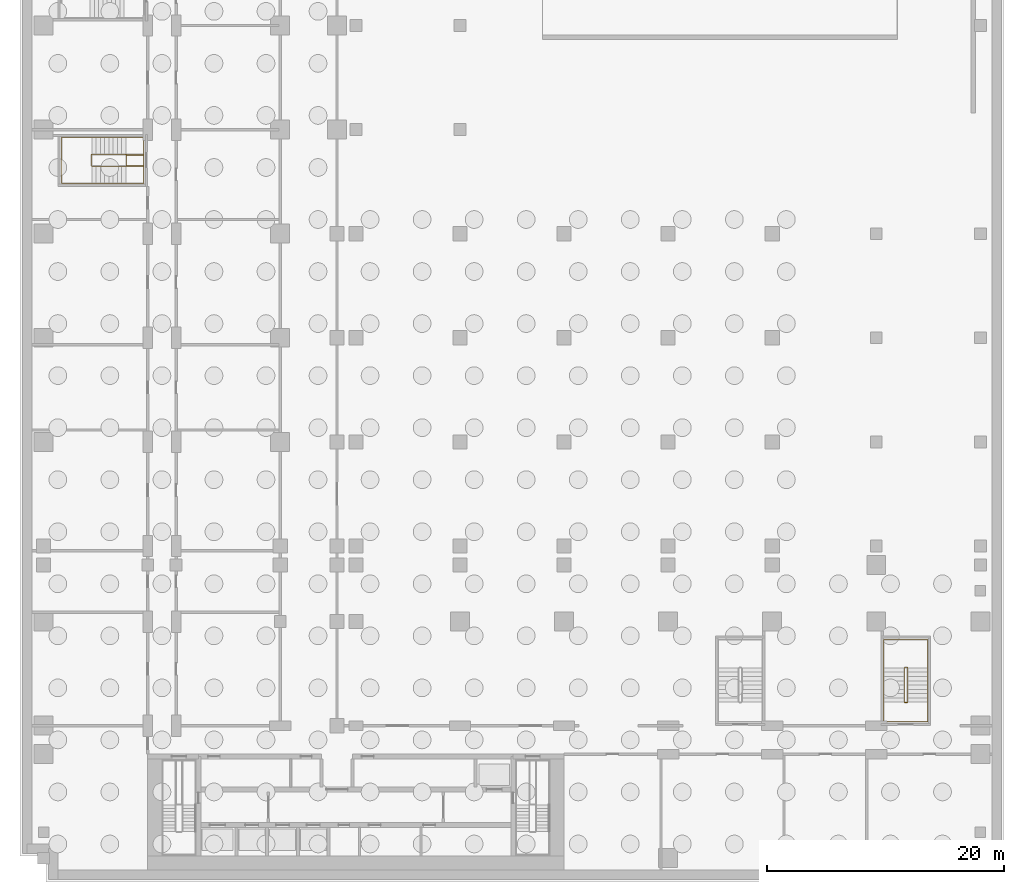
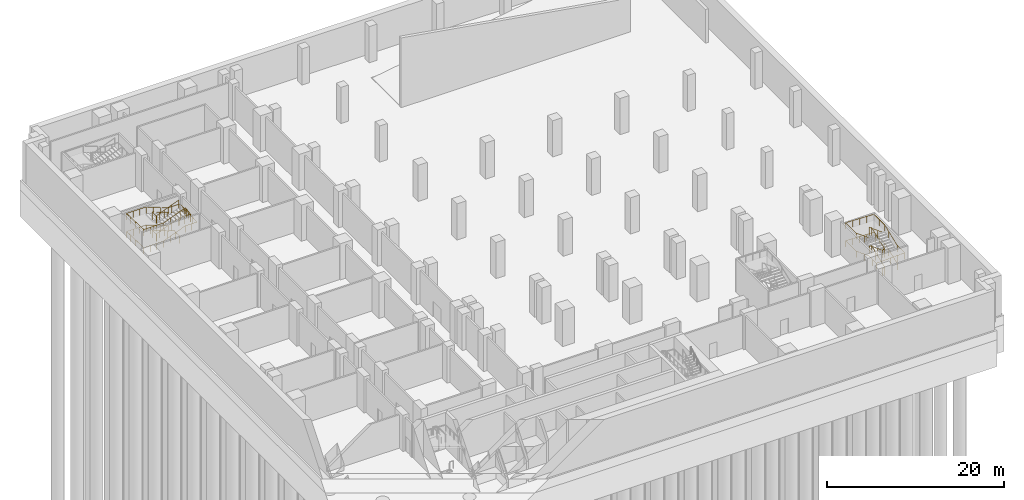
# One storey, part 12 of 14: 4 railings.
"""IFC4 building model written with IfcOpenShell, lengths in metres."""

import ifcopenshell
import ifcopenshell.guid

model = None  # the IFC model being written
_history = None  # IfcOwnerHistory: only IFC2X3 demands one
_inside = {}  # id of a spatial element -> (the spatial element, [elements in it])
_under = {}  # id of a project, library or spatial element -> (it, [spatial elements below it])
_declared = {}  # id of a project -> (the project, [libraries it declares])
_typed = {}  # id of a type object -> (the type object, [elements of that type])
_made_of = {}  # id of a material, layer set ... -> (it, [elements and type objects made of it])


def new_model(schema):
    """Start an empty IFC model of exactly this schema.

    Asked for "IFC4X3", IfcOpenShell would pick the latest addendum, in which some entities
    have other attributes; the version numbers below select the first issue.
    IFC2X3 requires an IfcOwnerHistory on every rooted entity: one is made here for all.
    """
    global model, _history
    if schema == "IFC4X3":
        model = ifcopenshell.file(schema_version=(4, 3, 0, 0))
    else:
        model = ifcopenshell.file(schema=schema)
    _inside.clear()
    _under.clear()
    _declared.clear()
    _typed.clear()
    _made_of.clear()
    _history = None
    if model.schema == "IFC2X3":
        org = make("IfcOrganization", Name="unknown")
        user = make(
            "IfcPersonAndOrganization",
            ThePerson=make("IfcPerson", FamilyName="unknown"),
            TheOrganization=org,
        )
        app = make(
            "IfcApplication",
            ApplicationDeveloper=org,
            Version="unknown",
            ApplicationFullName="unknown",
            ApplicationIdentifier="unknown",
        )
        _history = make(
            "IfcOwnerHistory",
            OwningUser=user,
            OwningApplication=app,
            ChangeAction="ADDED",
            CreationDate=0,
        )
    return model


def make(cls, **values):
    """One entity of the class cls with the attributes given. An attribute that is None is left unset."""
    return model.create_entity(
        cls, **{name: value for name, value in values.items() if value is not None}
    )


def rooted(cls, **values):
    """An entity with a GlobalId (a new one), such as an element, a storey or a relation."""
    return make(cls, GlobalId=ifcopenshell.guid.new(), OwnerHistory=_history, **values)


def si_unit(unit_type, name, prefix=None):
    """IfcSIUnit, for example si_unit("LENGTHUNIT", "METRE", prefix="MILLI")."""
    return make("IfcSIUnit", UnitType=unit_type, Prefix=prefix, Name=name)


def assignment(units):
    """IfcUnitAssignment: the units of a project."""
    return None if units is None else make("IfcUnitAssignment", Units=units)


def point(xyz):
    """IfcCartesianPoint."""
    return None if xyz is None else make("IfcCartesianPoint", Coordinates=xyz)


def direction(xyz):
    """IfcDirection."""
    return None if xyz is None else make("IfcDirection", DirectionRatios=xyz)


def frame(location, z_axis=None, x_axis=None):
    """IfcAxis2Placement3D, a coordinate frame: its origin and axes. An axis left out is left unset."""
    return make(
        "IfcAxis2Placement3D",
        Location=point(location),
        Axis=direction(z_axis),
        RefDirection=direction(x_axis),
    )


def frame_2d(location, x_axis=None):
    """IfcAxis2Placement2D, a coordinate frame in the plane: its origin and x axis."""
    return make(
        "IfcAxis2Placement2D", Location=point(location), RefDirection=direction(x_axis)
    )


def origin():
    """The frame at (0, 0, 0) with its axes left unset."""
    return frame((0.0, 0.0, 0.0))


def origin_2d():
    """The frame at (0, 0) in the plane with its x axis left unset."""
    return frame_2d((0.0, 0.0))


def place(relative_to, where):
    """IfcLocalPlacement: puts the frame where relative to a parent placement (None: the world)."""
    return make(
        "IfcLocalPlacement", PlacementRelTo=relative_to, RelativePlacement=where
    )


def context(
    kind, dimensions, precision=None, world=None, true_north=None, identifier=None
):
    """IfcGeometricRepresentationContext, for example the 3D "Model" context."""
    return make(
        "IfcGeometricRepresentationContext",
        ContextIdentifier=identifier,
        ContextType=kind,
        CoordinateSpaceDimension=dimensions,
        Precision=precision,
        WorldCoordinateSystem=world,
        TrueNorth=true_north,
    )


def subcontext(parent, identifier, kind, view, scale=None):
    """IfcGeometricRepresentationSubContext, for example "Body" below "Model"."""
    return make(
        "IfcGeometricRepresentationSubContext",
        ContextIdentifier=identifier,
        ContextType=kind,
        ParentContext=parent,
        TargetScale=scale,
        TargetView=view,
    )


def project(units=None, contexts=None):
    """IfcProject with its units and contexts."""
    return rooted(
        "IfcProject",
        Name="project",
        RepresentationContexts=contexts,
        UnitsInContext=assignment(units),
    )


def spatial(cls, under=None, at=None, **own):
    """A site, building, storey or space (cls), placed at a placement, below another one or the project."""
    s = rooted(cls, ObjectPlacement=at, **own)
    if under is not None:
        _under.setdefault(under.id(), (under, []))[1].append(s)
    return s


def profile(cls, at=None, kind="AREA", **sizes):
    """A parametric profile (cls). Its sizes go by their IFC names, for example OverallWidth=200.0."""
    return make(cls, ProfileType=kind, Position=at, **sizes)


def circle(**sizes):
    """IfcCircleProfileDef."""
    return profile("IfcCircleProfileDef", **sizes)


def extrude(swept, where, along, depth):
    """IfcExtrudedAreaSolid: the profile swept, set in the frame where, extruded along a direction by depth."""
    return make(
        "IfcExtrudedAreaSolid",
        SweptArea=swept,
        Position=where,
        ExtrudedDirection=direction(along),
        Depth=depth,
    )


def shape(context_of_items, identifier, shape_type, items):
    """IfcShapeRepresentation: the items that make up one representation, for example the "Body"."""
    return make(
        "IfcShapeRepresentation",
        ContextOfItems=context_of_items,
        RepresentationIdentifier=identifier,
        RepresentationType=shape_type,
        Items=items,
    )


def material(Name=None, Category=None):
    """IfcMaterial."""
    return make("IfcMaterial", Name=Name, Category=Category)


def made_of(thing, what):
    """Note that an element or type object is made of a material, layer set ...; save() writes the relation."""
    if what is not None:
        _made_of.setdefault(what.id(), (what, []))[1].append(thing)
    return thing


def type_object(cls, material=None, **own):
    """A type object (cls), such as IfcWallType, which elements share."""
    return made_of(rooted(cls, **own), material)


def element(
    cls,
    number,
    at=None,
    inside=None,
    cuts=None,
    type_object=None,
    material=None,
    context=None,
    identifier="Body",
    shape_type=None,
    held_by="IfcProductDefinitionShape",
    body=None,
    shapes=None,
    **own,
):
    """One element of the class cls, such as IfcWall. Its Tag is "e" and its number.

    at: its placement. inside: the storey or other place that contains it. cuts: it is an
    opening in that element (IfcRelVoidsElement). A single representation is given by context,
    identifier, shape_type and body (its items); several are given by shapes. held_by: the class
    of the entity that holds the representations. save() writes the other relations.
    """
    e = rooted(cls, Tag="e%d" % number, ObjectPlacement=at, **own)
    if body is not None:
        shapes = [shape(context, identifier, shape_type, body)]
    if shapes is not None:
        e.Representation = make(held_by, Representations=shapes)
    if inside is not None:
        _inside.setdefault(inside.id(), (inside, []))[1].append(e)
    if cuts is not None:
        rooted(
            "IfcRelVoidsElement", RelatingBuildingElement=cuts, RelatedOpeningElement=e
        )
    if type_object is not None:
        _typed.setdefault(type_object.id(), (type_object, []))[1].append(e)
    return made_of(e, material)


def aggregate(whole, parts):
    """IfcRelAggregates: a whole, such as a stair, and the parts it consists of."""
    return rooted("IfcRelAggregates", RelatingObject=whole, RelatedObjects=parts)


def save(model, path):
    """Write the relations noted so far, then the file.

    IfcRelAggregates (storeys below a building ...), IfcRelContainedInSpatialStructure (elements
    in a storey), IfcRelDefinesByType, IfcRelAssociatesMaterial and IfcRelDeclares: one each for
    every whole, place, type object, material and project.
    """
    for whole, parts in _under.values():
        aggregate(whole, parts)
    for where, things in _inside.values():
        rooted(
            "IfcRelContainedInSpatialStructure",
            RelatedElements=things,
            RelatingStructure=where,
        )
    for kind, things in _typed.values():
        rooted("IfcRelDefinesByType", RelatedObjects=things, RelatingType=kind)
    for what, things in _made_of.values():
        rooted("IfcRelAssociatesMaterial", RelatedObjects=things, RelatingMaterial=what)
    for by, libraries in _declared.values():
        rooted("IfcRelDeclares", RelatingContext=by, RelatedDefinitions=libraries)
    model.write(path)


model = new_model("IFC4")

# Units and contexts
model_context = context("Model", 3, precision=1e-05, world=origin(), true_north=direction((0.0, 1.0)))
body_context = subcontext(model_context, "Body", "Model", "MODEL_VIEW")
ifc_project = project(units=[si_unit("LENGTHUNIT", "METRE"), si_unit("AREAUNIT", "SQUARE_METRE"), si_unit("VOLUMEUNIT", "CUBIC_METRE"), si_unit("PLANEANGLEUNIT", "RADIAN"), si_unit("MASSUNIT", "GRAM", prefix="KILO")], contexts=[model_context])

# Site, building, storey
site_placement = place(None, origin())
site = spatial("IfcSite", under=ifc_project, at=site_placement, CompositionType="ELEMENT")
building_placement = place(site_placement, origin())
building = spatial("IfcBuilding", under=site, at=building_placement, Name="Kemantara Hotel Tower", CompositionType="ELEMENT")
storey_placement = place(building_placement, frame((0.0, 0.0, -17.0)))
storey = spatial("IfcBuildingStorey", under=building, at=storey_placement, Name="B3", CompositionType="ELEMENT", Elevation=-17.0)

# Railings
ifc_material = material(Name="Stainless steel balustrade", Category="steel")
railing_type_1 = type_object("IfcRailingType", Name="Stair guard 1100 mm", PredefinedType="GUARDRAIL", material=ifc_material)
railing_1_placement = place(storey_placement, frame((7.949951171875, 59.5, 5.0)))
element("IfcRailing", 1, at=railing_1_placement, inside=storey, type_object=railing_type_1, Name="B3 ST4 stair guard 1", PredefinedType="GUARDRAIL", context=body_context, shape_type="SweptSolid", body=[
    extrude(circle(Radius=0.02392578125, at=origin_2d()), frame((0.0, 0.0, 1.076171875), z_axis=(-0.932972064118, 0.0, -0.359948784656), x_axis=(0.0, -1.0, 0.0)), (0.0, 0.0, 1.0), 3.086669921875),
    extrude(circle(Radius=0.02392578125, at=origin_2d()), frame((-2.8798828125, 0.0, -0.03515625), z_axis=(-0.321014310373, 0.321014310373, -0.891010451718), x_axis=(-0.707106781187, -0.707106781187, 0.0)), (0.0, 0.0, 1.0), 0.156005859375),
    extrude(circle(Radius=0.02392578125, at=origin_2d()), frame((-2.929931640625, 0.050048828125, -0.173828125), z_axis=(0.0, 1.0, 0.0), x_axis=(-1.0, 0.0, 0.0)), (0.0, 0.0, 1.0), 0.89990234375),
    extrude(circle(Radius=0.02392578125, at=origin_2d()), frame((-2.929931640625, 0.949951171875, -0.173828125), z_axis=(0.707106781187, 0.707106781187, 0.0), x_axis=(-0.707106781187, 0.707106781187, 0.0)), (0.0, 0.0, 1.0), 0.07080078125),
    extrude(circle(Radius=0.02392578125, at=origin_2d()), frame((-2.8798828125, 1.0, -0.173828125), z_axis=(0.932972064118, 0.0, -0.359948784656), x_axis=(0.0, 1.0, 0.0)), (0.0, 0.0, 1.0), 3.086669921875),
    extrude(circle(Radius=0.02392578125, at=origin_2d()), frame((0.0, 1.0, -1.28515625), z_axis=(1.0, 0.0, 0.0), x_axis=(0.0, 1.0, 0.0)), (0.0, 0.0, 1.0), 1.530029296875),
    extrude(circle(Radius=0.02392578125, at=origin_2d()), frame((1.530029296875, 1.0, -1.28515625), z_axis=(0.0, -0.989476165601, -0.144695949172), x_axis=(1.0, 0.0, 0.0)), (0.0, 0.0, 1.0), 0.9599609375),
    extrude(circle(Radius=0.02392578125, at=origin_2d()), frame((1.530029296875, 0.050048828125, -1.423828125), z_axis=(-1.0, 0.0, 0.0), x_axis=(0.0, -1.0, 0.0)), (0.0, 0.0, 1.0), 1.47998046875),
    extrude(circle(Radius=0.02392578125, at=origin_2d()), frame((0.050048828125, 0.050048828125, -1.423828125), z_axis=(0.0, 1.0, 0.0), x_axis=(-1.0, 0.0, 0.0)), (0.0, 0.0, 1.0), 0.89990234375),
    extrude(circle(Radius=0.02392578125, at=origin_2d()), frame((0.050048828125, 0.949951171875, -1.423828125), z_axis=(1.0, 0.0, 0.0), x_axis=(0.0, 1.0, 0.0)), (0.0, 0.0, 1.0), 1.47998046875),
    extrude(circle(Radius=0.02392578125, at=origin_2d()), frame((1.530029296875, 0.949951171875, -1.423828125), z_axis=(0.0, -1.0, 0.0), x_axis=(1.0, 0.0, 0.0)), (0.0, 0.0, 1.0), 0.949951171875),
    extrude(circle(Radius=0.02392578125, at=origin_2d()), frame((1.530029296875, 0.0, -1.423828125), z_axis=(-1.0, 0.0, 0.0), x_axis=(0.0, -1.0, 0.0)), (0.0, 0.0, 1.0), 1.530029296875),
    extrude(circle(Radius=0.02392578125, at=origin_2d()), frame((0.0, 0.0, -1.423828125), z_axis=(-0.932972064118, 0.0, -0.359948784656), x_axis=(0.0, -1.0, 0.0)), (0.0, 0.0, 1.0), 3.086669921875),
    extrude(circle(Radius=0.02392578125, at=origin_2d()), frame((-2.8798828125, 0.0, -2.53515625), z_axis=(-0.321014310373, 0.321014310373, -0.891010451718), x_axis=(-0.707106781187, -0.707106781187, 0.0)), (0.0, 0.0, 1.0), 0.156005859375),
    extrude(circle(Radius=0.02392578125, at=origin_2d()), frame((-2.929931640625, 0.050048828125, -2.673828125), z_axis=(0.0, 1.0, 0.0), x_axis=(-1.0, 0.0, 0.0)), (0.0, 0.0, 1.0), 0.89990234375),
    extrude(circle(Radius=0.02392578125, at=origin_2d()), frame((-2.929931640625, 0.949951171875, -2.673828125), z_axis=(0.707106781187, 0.707106781187, 0.0), x_axis=(-0.707106781187, 0.707106781187, 0.0)), (0.0, 0.0, 1.0), 0.07080078125),
    extrude(circle(Radius=0.02392578125, at=origin_2d()), frame((-2.8798828125, 1.0, -2.673828125), z_axis=(0.932972064118, 0.0, -0.359948784656), x_axis=(0.0, 1.0, 0.0)), (0.0, 0.0, 1.0), 3.086669921875),
    extrude(circle(Radius=0.02392578125, at=origin_2d()), frame((0.0, 1.0, -3.78515625), z_axis=(0.321014310373, -0.321014310373, -0.891010451718), x_axis=(0.707106781187, 0.707106781187, 0.0)), (0.0, 0.0, 1.0), 0.156005859375),
    extrude(circle(Radius=0.02392578125, at=origin_2d()), frame((0.050048828125, 0.949951171875, -3.923828125), z_axis=(0.0, -1.0, 0.0), x_axis=(1.0, 0.0, 0.0)), (0.0, 0.0, 1.0), 0.89990234375),
    extrude(circle(Radius=0.02099609375, at=origin_2d()), origin(), (0.0, 0.0, 1.0), 1.052001953125),
    extrude(circle(Radius=0.02099609375, at=origin_2d()), frame((-0.9599609375, 0.0, -0.370361328125)), (0.0, 0.0, 1.0), 1.052001953125),
    extrude(circle(Radius=0.02099609375, at=origin_2d()), frame((-1.919921875, 0.0, -0.74072265625)), (0.0, 0.0, 1.0), 1.052001953125),
    extrude(circle(Radius=0.02099609375, at=origin_2d()), frame((-2.8798828125, 0.0, -1.111083984375)), (0.0, 0.0, 1.0), 1.052001953125),
    extrude(circle(Radius=0.02099609375, at=origin_2d()), frame((-2.929931640625, 0.050048828125, -1.25)), (0.0, 0.0, 1.0), 1.052001953125),
    extrude(circle(Radius=0.02099609375, at=origin_2d()), frame((-2.929931640625, 0.949951171875, -1.25)), (0.0, 0.0, 1.0), 1.052001953125),
    extrude(circle(Radius=0.02099609375, at=origin_2d()), frame((-2.8798828125, 1.0, -1.25)), (0.0, 0.0, 1.0), 1.052001953125),
    extrude(circle(Radius=0.02099609375, at=origin_2d()), frame((-1.919921875, 1.0, -1.620361328125)), (0.0, 0.0, 1.0), 1.052001953125),
    extrude(circle(Radius=0.02099609375, at=origin_2d()), frame((-0.9599609375, 1.0, -1.99072265625)), (0.0, 0.0, 1.0), 1.052001953125),
    extrude(circle(Radius=0.02099609375, at=origin_2d()), frame((0.0, 1.0, -2.361083984375)), (0.0, 0.0, 1.0), 1.052001953125),
    extrude(circle(Radius=0.02099609375, at=origin_2d()), frame((0.76513671875, 1.0, -2.361083984375)), (0.0, 0.0, 1.0), 1.052001953125),
    extrude(circle(Radius=0.02099609375, at=origin_2d()), frame((1.530029296875, 1.0, -2.361083984375)), (0.0, 0.0, 1.0), 1.052001953125),
    extrude(circle(Radius=0.02099609375, at=origin_2d()), frame((1.530029296875, 0.050048828125, -2.5)), (0.0, 0.0, 1.0), 1.052001953125),
    extrude(circle(Radius=0.02099609375, at=origin_2d()), frame((0.7900390625, 0.050048828125, -2.5)), (0.0, 0.0, 1.0), 1.052001953125),
    extrude(circle(Radius=0.02099609375, at=origin_2d()), frame((0.050048828125, 0.050048828125, -2.5)), (0.0, 0.0, 1.0), 1.052001953125),
    extrude(circle(Radius=0.02099609375, at=origin_2d()), frame((0.050048828125, 0.949951171875, -2.5)), (0.0, 0.0, 1.0), 1.052001953125),
    extrude(circle(Radius=0.02099609375, at=origin_2d()), frame((0.7900390625, 0.949951171875, -2.5)), (0.0, 0.0, 1.0), 1.052001953125),
    extrude(circle(Radius=0.02099609375, at=origin_2d()), frame((1.530029296875, 0.949951171875, -2.5)), (0.0, 0.0, 1.0), 1.052001953125),
    extrude(circle(Radius=0.02099609375, at=origin_2d()), frame((1.530029296875, 0.0, -2.5)), (0.0, 0.0, 1.0), 1.052001953125),
    extrude(circle(Radius=0.02099609375, at=origin_2d()), frame((0.76513671875, 0.0, -2.5)), (0.0, 0.0, 1.0), 1.052001953125),
    extrude(circle(Radius=0.02099609375, at=origin_2d()), frame((0.0, 0.0, -2.5)), (0.0, 0.0, 1.0), 1.052001953125),
    extrude(circle(Radius=0.02099609375, at=origin_2d()), frame((-0.9599609375, 0.0, -2.870361328125)), (0.0, 0.0, 1.0), 1.052001953125),
    extrude(circle(Radius=0.02099609375, at=origin_2d()), frame((-1.919921875, 0.0, -3.24072265625)), (0.0, 0.0, 1.0), 1.052001953125),
    extrude(circle(Radius=0.02099609375, at=origin_2d()), frame((-2.8798828125, 0.0, -3.611083984375)), (0.0, 0.0, 1.0), 1.052001953125),
    extrude(circle(Radius=0.02099609375, at=origin_2d()), frame((-2.929931640625, 0.050048828125, -3.75)), (0.0, 0.0, 1.0), 1.052001953125),
    extrude(circle(Radius=0.02099609375, at=origin_2d()), frame((-2.929931640625, 0.949951171875, -3.75)), (0.0, 0.0, 1.0), 1.052001953125),
    extrude(circle(Radius=0.02099609375, at=origin_2d()), frame((-2.8798828125, 1.0, -3.75)), (0.0, 0.0, 1.0), 1.052001953125),
    extrude(circle(Radius=0.02099609375, at=origin_2d()), frame((-1.919921875, 1.0, -4.120361328125)), (0.0, 0.0, 1.0), 1.052001953125),
    extrude(circle(Radius=0.02099609375, at=origin_2d()), frame((-0.9599609375, 1.0, -4.49072265625)), (0.0, 0.0, 1.0), 1.052001953125),
    extrude(circle(Radius=0.02099609375, at=origin_2d()), frame((0.0, 1.0, -4.861083984375)), (0.0, 0.0, 1.0), 1.052001953125),
    extrude(circle(Radius=0.02099609375, at=origin_2d()), frame((0.050048828125, 0.949951171875, -5.0)), (0.0, 0.0, 1.0), 1.052001953125),
    extrude(circle(Radius=0.02099609375, at=origin_2d()), frame((0.050048828125, 0.050048828125, -5.0)), (0.0, 0.0, 1.0), 1.052001953125),
])
railing_2_placement = place(storey_placement, frame((73.75, 14.199951171875, 5.0)))
element("IfcRailing", 2, at=railing_2_placement, inside=storey, type_object=railing_type_1, Name="B3 ST5 stair guard 1", PredefinedType="GUARDRAIL", context=body_context, shape_type="SweptSolid", body=[
    extrude(circle(Radius=0.02392578125, at=origin_2d()), frame((0.0, 0.0, 1.076171875), z_axis=(0.0, 0.932982310422, -0.359922225543), x_axis=(-1.0, 0.0, 0.0)), (0.0, 0.0, 1.0), 3.0869140625),
    extrude(circle(Radius=0.02392578125, at=origin_2d()), frame((0.0, 2.880126953125, -0.03515625), z_axis=(0.321175406682, 0.319608697381, -0.891457592206), x_axis=(-0.705375805398, 0.708833529934, 0.0)), (0.0, 0.0, 1.0), 0.15576171875),
    extrude(circle(Radius=0.02392578125, at=origin_2d()), frame((0.050048828125, 2.929931640625, -0.173828125), z_axis=(1.0, 0.0, 0.0), x_axis=(0.0, 1.0, 0.0)), (0.0, 0.0, 1.0), 0.199951171875),
    extrude(circle(Radius=0.02392578125, at=origin_2d()), frame((0.25, 2.929931640625, -0.173828125), z_axis=(0.708833529934, -0.705375805398, 0.0), x_axis=(0.705375805398, 0.708833529934, 0.0)), (0.0, 0.0, 1.0), 0.070556640625),
    extrude(circle(Radius=0.02392578125, at=origin_2d()), frame((0.300048828125, 2.880126953125, -0.173828125), z_axis=(0.0, -0.932982310422, -0.359922225543), x_axis=(1.0, 0.0, 0.0)), (0.0, 0.0, 1.0), 3.0869140625),
    extrude(circle(Radius=0.02392578125, at=origin_2d()), frame((0.300048828125, 0.0, -1.28515625), z_axis=(-0.861032742868, -0.172374719031, -0.478444951847), x_axis=(0.196300278283, -0.98054382908, 0.0)), (0.0, 0.0, 1.0), 0.290283203125),
    extrude(circle(Radius=0.02392578125, at=origin_2d()), frame((0.050048828125, -0.050048828125, -1.423828125), z_axis=(1.0, 0.0, 0.0), x_axis=(0.0, 1.0, 0.0)), (0.0, 0.0, 1.0), 0.199951171875),
    extrude(circle(Radius=0.02392578125, at=origin_2d()), frame((0.25, -0.050048828125, -1.423828125), z_axis=(-0.98054382908, 0.196300278283, 0.0), x_axis=(-0.196300278283, -0.98054382908, 0.0)), (0.0, 0.0, 1.0), 0.2548828125),
    extrude(circle(Radius=0.02392578125, at=origin_2d()), frame((0.0, 0.0, -1.423828125), z_axis=(0.0, 0.932982310422, -0.359922225543), x_axis=(-1.0, 0.0, 0.0)), (0.0, 0.0, 1.0), 3.0869140625),
    extrude(circle(Radius=0.02392578125, at=origin_2d()), frame((0.0, 2.880126953125, -2.53515625), z_axis=(0.321175406682, 0.319608697381, -0.891457592206), x_axis=(-0.705375805398, 0.708833529934, 0.0)), (0.0, 0.0, 1.0), 0.15576171875),
    extrude(circle(Radius=0.02392578125, at=origin_2d()), frame((0.050048828125, 2.929931640625, -2.673828125), z_axis=(1.0, 0.0, 0.0), x_axis=(0.0, 1.0, 0.0)), (0.0, 0.0, 1.0), 0.199951171875),
    extrude(circle(Radius=0.02392578125, at=origin_2d()), frame((0.25, 2.929931640625, -2.673828125), z_axis=(0.708833529934, -0.705375805398, 0.0), x_axis=(0.705375805398, 0.708833529934, 0.0)), (0.0, 0.0, 1.0), 0.070556640625),
    extrude(circle(Radius=0.02392578125, at=origin_2d()), frame((0.300048828125, 2.880126953125, -2.673828125), z_axis=(0.0, -0.932982310422, -0.359922225543), x_axis=(1.0, 0.0, 0.0)), (0.0, 0.0, 1.0), 3.0869140625),
    extrude(circle(Radius=0.02392578125, at=origin_2d()), frame((0.300048828125, 0.0, -3.78515625), z_axis=(-0.321014310373, -0.321014310373, -0.891010451718), x_axis=(0.707106781187, -0.707106781187, 0.0)), (0.0, 0.0, 1.0), 0.156005859375),
    extrude(circle(Radius=0.02392578125, at=origin_2d()), frame((0.25, -0.050048828125, -3.923828125), z_axis=(-1.0, 0.0, 0.0), x_axis=(0.0, -1.0, 0.0)), (0.0, 0.0, 1.0), 0.199951171875),
    extrude(circle(Radius=0.02099609375, at=origin_2d()), origin(), (0.0, 0.0, 1.0), 1.052001953125),
    extrude(circle(Radius=0.02099609375, at=origin_2d()), frame((0.0, 0.9599609375, -0.370361328125)), (0.0, 0.0, 1.0), 1.052001953125),
    extrude(circle(Radius=0.02099609375, at=origin_2d()), frame((0.0, 1.920166015625, -0.74072265625)), (0.0, 0.0, 1.0), 1.052001953125),
    extrude(circle(Radius=0.02099609375, at=origin_2d()), frame((0.0, 2.880126953125, -1.111083984375)), (0.0, 0.0, 1.0), 1.052001953125),
    extrude(circle(Radius=0.02099609375, at=origin_2d()), frame((0.050048828125, 2.929931640625, -1.25)), (0.0, 0.0, 1.0), 1.052001953125),
    extrude(circle(Radius=0.02099609375, at=origin_2d()), frame((0.25, 2.929931640625, -1.25)), (0.0, 0.0, 1.0), 1.052001953125),
    extrude(circle(Radius=0.02099609375, at=origin_2d()), frame((0.300048828125, 2.880126953125, -1.25)), (0.0, 0.0, 1.0), 1.052001953125),
    extrude(circle(Radius=0.02099609375, at=origin_2d()), frame((0.300048828125, 1.920166015625, -1.620361328125)), (0.0, 0.0, 1.0), 1.052001953125),
    extrude(circle(Radius=0.02099609375, at=origin_2d()), frame((0.300048828125, 0.9599609375, -1.99072265625)), (0.0, 0.0, 1.0), 1.052001953125),
    extrude(circle(Radius=0.02099609375, at=origin_2d()), frame((0.300048828125, 0.0, -2.361083984375)), (0.0, 0.0, 1.0), 1.052001953125),
    extrude(circle(Radius=0.02099609375, at=origin_2d()), frame((0.050048828125, -0.050048828125, -2.5)), (0.0, 0.0, 1.0), 1.052001953125),
    extrude(circle(Radius=0.02099609375, at=origin_2d()), frame((0.25, -0.050048828125, -2.5)), (0.0, 0.0, 1.0), 1.052001953125),
    extrude(circle(Radius=0.02099609375, at=origin_2d()), frame((0.0, 0.0, -2.5)), (0.0, 0.0, 1.0), 1.052001953125),
    extrude(circle(Radius=0.02099609375, at=origin_2d()), frame((0.0, 0.9599609375, -2.870361328125)), (0.0, 0.0, 1.0), 1.052001953125),
    extrude(circle(Radius=0.02099609375, at=origin_2d()), frame((0.0, 1.920166015625, -3.24072265625)), (0.0, 0.0, 1.0), 1.052001953125),
    extrude(circle(Radius=0.02099609375, at=origin_2d()), frame((0.0, 2.880126953125, -3.611083984375)), (0.0, 0.0, 1.0), 1.052001953125),
    extrude(circle(Radius=0.02099609375, at=origin_2d()), frame((0.050048828125, 2.929931640625, -3.75)), (0.0, 0.0, 1.0), 1.052001953125),
    extrude(circle(Radius=0.02099609375, at=origin_2d()), frame((0.25, 2.929931640625, -3.75)), (0.0, 0.0, 1.0), 1.052001953125),
    extrude(circle(Radius=0.02099609375, at=origin_2d()), frame((0.300048828125, 2.880126953125, -3.75)), (0.0, 0.0, 1.0), 1.052001953125),
    extrude(circle(Radius=0.02099609375, at=origin_2d()), frame((0.300048828125, 1.920166015625, -4.120361328125)), (0.0, 0.0, 1.0), 1.052001953125),
    extrude(circle(Radius=0.02099609375, at=origin_2d()), frame((0.300048828125, 0.9599609375, -4.49072265625)), (0.0, 0.0, 1.0), 1.052001953125),
    extrude(circle(Radius=0.02099609375, at=origin_2d()), frame((0.300048828125, 0.0, -4.861083984375)), (0.0, 0.0, 1.0), 1.052001953125),
    extrude(circle(Radius=0.02099609375, at=origin_2d()), frame((0.25, -0.050048828125, -5.0)), (0.0, 0.0, 1.0), 1.052001953125),
    extrude(circle(Radius=0.02099609375, at=origin_2d()), frame((0.050048828125, -0.050048828125, -5.0)), (0.0, 0.0, 1.0), 1.052001953125),
])
railing_type_2 = type_object("IfcRailingType", Name="Stair handrail 900 mm", PredefinedType="HANDRAIL", material=ifc_material)
railing_3_placement = place(storey_placement, frame((7.949951171875, 61.949951171875, 0.138916015625)))
element("IfcRailing", 3, at=railing_3_placement, inside=storey, type_object=railing_type_2, Name="B3 ST4 stair handrail 1", PredefinedType="HANDRAIL", context=body_context, shape_type="SweptSolid", body=[
    extrude(circle(Radius=0.02392578125, at=origin_2d()), frame((0.0, 0.0, 0.8759765625), z_axis=(-0.932972064118, 0.0, 0.359948784656), x_axis=(0.0, -1.0, 0.0)), (0.0, 0.0, 1.0), 3.086669921875),
    extrude(circle(Radius=0.02392578125, at=origin_2d()), frame((-2.8798828125, 0.0, 1.98681640625), z_axis=(-1.0, 0.0, 0.0), x_axis=(0.0, -1.0, 0.0)), (0.0, 0.0, 1.0), 2.550048828125),
    extrude(circle(Radius=0.02392578125, at=origin_2d()), frame((-5.429931640625, 0.0, 1.98681640625), z_axis=(0.0, -0.999366197222, 0.035597806825), x_axis=(1.0, 0.0, 0.0)), (0.0, 0.0, 1.0), 3.90234375),
    extrude(circle(Radius=0.02392578125, at=origin_2d()), frame((-5.429931640625, -3.89990234375, 2.1259765625), z_axis=(1.0, 0.0, 0.0), x_axis=(0.0, 1.0, 0.0)), (0.0, 0.0, 1.0), 2.550048828125),
    extrude(circle(Radius=0.02392578125, at=origin_2d()), frame((-2.8798828125, -3.89990234375, 2.1259765625), z_axis=(0.932972064118, 0.0, 0.359948784656), x_axis=(0.0, 1.0, 0.0)), (0.0, 0.0, 1.0), 3.086669921875),
    extrude(circle(Radius=0.02392578125, at=origin_2d()), frame((0.0, -3.89990234375, 3.23681640625), z_axis=(1.0, 0.0, 0.0), x_axis=(0.0, 1.0, 0.0)), (0.0, 0.0, 1.0), 1.530029296875),
    extrude(circle(Radius=0.02392578125, at=origin_2d()), frame((1.530029296875, -3.89990234375, 3.23681640625), z_axis=(0.0, 0.999366197222, 0.035597806825), x_axis=(-1.0, 0.0, 0.0)), (0.0, 0.0, 1.0), 3.90234375),
    extrude(circle(Radius=0.02392578125, at=origin_2d()), frame((1.530029296875, 0.0, 3.3759765625), z_axis=(-1.0, 0.0, 0.0), x_axis=(0.0, -1.0, 0.0)), (0.0, 0.0, 1.0), 1.530029296875),
    extrude(circle(Radius=0.02392578125, at=origin_2d()), frame((0.0, 0.0, 3.3759765625), z_axis=(-0.932972064118, 0.0, 0.359948784656), x_axis=(0.0, -1.0, 0.0)), (0.0, 0.0, 1.0), 3.086669921875),
    extrude(circle(Radius=0.02392578125, at=origin_2d()), frame((-2.8798828125, 0.0, 4.48681640625), z_axis=(-1.0, 0.0, 0.0), x_axis=(0.0, -1.0, 0.0)), (0.0, 0.0, 1.0), 2.550048828125),
    extrude(circle(Radius=0.02392578125, at=origin_2d()), frame((-5.429931640625, 0.0, 4.48681640625), z_axis=(0.0, -0.999366197222, 0.035597806825), x_axis=(1.0, 0.0, 0.0)), (0.0, 0.0, 1.0), 3.90234375),
    extrude(circle(Radius=0.02392578125, at=origin_2d()), frame((-5.429931640625, -3.89990234375, 4.6259765625), z_axis=(1.0, 0.0, 0.0), x_axis=(0.0, 1.0, 0.0)), (0.0, 0.0, 1.0), 2.550048828125),
    extrude(circle(Radius=0.02392578125, at=origin_2d()), frame((-2.8798828125, -3.89990234375, 4.6259765625), z_axis=(0.932972064118, 0.0, 0.359948784656), x_axis=(0.0, 1.0, 0.0)), (0.0, 0.0, 1.0), 3.086669921875),
    extrude(circle(Radius=0.02099609375, at=origin_2d()), origin(), (0.0, 0.0, 1.0), 0.851806640625),
    extrude(circle(Radius=0.02099609375, at=origin_2d()), frame((-0.9599609375, 0.0, 0.370361328125)), (0.0, 0.0, 1.0), 0.851806640625),
    extrude(circle(Radius=0.02099609375, at=origin_2d()), frame((-1.919921875, 0.0, 0.74072265625)), (0.0, 0.0, 1.0), 0.851806640625),
    extrude(circle(Radius=0.02099609375, at=origin_2d()), frame((-2.8798828125, 0.0, 1.111083984375)), (0.0, 0.0, 1.0), 0.851806640625),
    extrude(circle(Radius=0.02099609375, at=origin_2d()), frame((-3.72998046875, 0.0, 1.111083984375)), (0.0, 0.0, 1.0), 0.851806640625),
    extrude(circle(Radius=0.02099609375, at=origin_2d()), frame((-4.579833984375, 0.0, 1.111083984375)), (0.0, 0.0, 1.0), 0.851806640625),
    extrude(circle(Radius=0.02099609375, at=origin_2d()), frame((-5.429931640625, 0.0, 1.111083984375)), (0.0, 0.0, 1.0), 0.851806640625),
    extrude(circle(Radius=0.02099609375, at=origin_2d()), frame((-5.429931640625, -0.97509765625, 1.145751953125)), (0.0, 0.0, 1.0), 0.851806640625),
    extrude(circle(Radius=0.02099609375, at=origin_2d()), frame((-5.429931640625, -1.949951171875, 1.1806640625)), (0.0, 0.0, 1.0), 0.851806640625),
    extrude(circle(Radius=0.02099609375, at=origin_2d()), frame((-5.429931640625, -2.9248046875, 1.21533203125)), (0.0, 0.0, 1.0), 0.851806640625),
    extrude(circle(Radius=0.02099609375, at=origin_2d()), frame((-5.429931640625, -3.89990234375, 1.25)), (0.0, 0.0, 1.0), 0.851806640625),
    extrude(circle(Radius=0.02099609375, at=origin_2d()), frame((-4.579833984375, -3.89990234375, 1.25)), (0.0, 0.0, 1.0), 0.851806640625),
    extrude(circle(Radius=0.02099609375, at=origin_2d()), frame((-3.72998046875, -3.89990234375, 1.25)), (0.0, 0.0, 1.0), 0.851806640625),
    extrude(circle(Radius=0.02099609375, at=origin_2d()), frame((-2.8798828125, -3.89990234375, 1.25)), (0.0, 0.0, 1.0), 0.851806640625),
    extrude(circle(Radius=0.02099609375, at=origin_2d()), frame((-1.919921875, -3.89990234375, 1.620361328125)), (0.0, 0.0, 1.0), 0.851806640625),
    extrude(circle(Radius=0.02099609375, at=origin_2d()), frame((-0.9599609375, -3.89990234375, 1.99072265625)), (0.0, 0.0, 1.0), 0.851806640625),
    extrude(circle(Radius=0.02099609375, at=origin_2d()), frame((0.0, -3.89990234375, 2.361083984375)), (0.0, 0.0, 1.0), 0.851806640625),
    extrude(circle(Radius=0.02099609375, at=origin_2d()), frame((0.76513671875, -3.89990234375, 2.361083984375)), (0.0, 0.0, 1.0), 0.851806640625),
    extrude(circle(Radius=0.02099609375, at=origin_2d()), frame((1.530029296875, -3.89990234375, 2.361083984375)), (0.0, 0.0, 1.0), 0.851806640625),
    extrude(circle(Radius=0.02099609375, at=origin_2d()), frame((1.530029296875, -2.9248046875, 2.395751953125)), (0.0, 0.0, 1.0), 0.851806640625),
    extrude(circle(Radius=0.02099609375, at=origin_2d()), frame((1.530029296875, -1.949951171875, 2.4306640625)), (0.0, 0.0, 1.0), 0.851806640625),
    extrude(circle(Radius=0.02099609375, at=origin_2d()), frame((1.530029296875, -0.97509765625, 2.46533203125)), (0.0, 0.0, 1.0), 0.851806640625),
    extrude(circle(Radius=0.02099609375, at=origin_2d()), frame((1.530029296875, 0.0, 2.5)), (0.0, 0.0, 1.0), 0.851806640625),
    extrude(circle(Radius=0.02099609375, at=origin_2d()), frame((0.76513671875, 0.0, 2.5)), (0.0, 0.0, 1.0), 0.851806640625),
    extrude(circle(Radius=0.02099609375, at=origin_2d()), frame((0.0, 0.0, 2.5)), (0.0, 0.0, 1.0), 0.851806640625),
    extrude(circle(Radius=0.02099609375, at=origin_2d()), frame((-0.9599609375, 0.0, 2.870361328125)), (0.0, 0.0, 1.0), 0.851806640625),
    extrude(circle(Radius=0.02099609375, at=origin_2d()), frame((-1.919921875, 0.0, 3.24072265625)), (0.0, 0.0, 1.0), 0.851806640625),
    extrude(circle(Radius=0.02099609375, at=origin_2d()), frame((-2.8798828125, 0.0, 3.611083984375)), (0.0, 0.0, 1.0), 0.851806640625),
    extrude(circle(Radius=0.02099609375, at=origin_2d()), frame((-3.72998046875, 0.0, 3.611083984375)), (0.0, 0.0, 1.0), 0.851806640625),
    extrude(circle(Radius=0.02099609375, at=origin_2d()), frame((-4.579833984375, 0.0, 3.611083984375)), (0.0, 0.0, 1.0), 0.851806640625),
    extrude(circle(Radius=0.02099609375, at=origin_2d()), frame((-5.429931640625, 0.0, 3.611083984375)), (0.0, 0.0, 1.0), 0.851806640625),
    extrude(circle(Radius=0.02099609375, at=origin_2d()), frame((-5.429931640625, -0.97509765625, 3.645751953125)), (0.0, 0.0, 1.0), 0.851806640625),
    extrude(circle(Radius=0.02099609375, at=origin_2d()), frame((-5.429931640625, -1.949951171875, 3.6806640625)), (0.0, 0.0, 1.0), 0.851806640625),
    extrude(circle(Radius=0.02099609375, at=origin_2d()), frame((-5.429931640625, -2.9248046875, 3.71533203125)), (0.0, 0.0, 1.0), 0.851806640625),
    extrude(circle(Radius=0.02099609375, at=origin_2d()), frame((-5.429931640625, -3.89990234375, 3.75)), (0.0, 0.0, 1.0), 0.851806640625),
    extrude(circle(Radius=0.02099609375, at=origin_2d()), frame((-4.579833984375, -3.89990234375, 3.75)), (0.0, 0.0, 1.0), 0.851806640625),
    extrude(circle(Radius=0.02099609375, at=origin_2d()), frame((-3.72998046875, -3.89990234375, 3.75)), (0.0, 0.0, 1.0), 0.851806640625),
    extrude(circle(Radius=0.02099609375, at=origin_2d()), frame((-2.8798828125, -3.89990234375, 3.75)), (0.0, 0.0, 1.0), 0.851806640625),
    extrude(circle(Radius=0.02099609375, at=origin_2d()), frame((-1.919921875, -3.89990234375, 4.120361328125)), (0.0, 0.0, 1.0), 0.851806640625),
    extrude(circle(Radius=0.02099609375, at=origin_2d()), frame((-0.9599609375, -3.89990234375, 4.49072265625)), (0.0, 0.0, 1.0), 0.851806640625),
    extrude(circle(Radius=0.02099609375, at=origin_2d()), frame((0.0, -3.89990234375, 4.861083984375)), (0.0, 0.0, 1.0), 0.851806640625),
])
railing_4_placement = place(storey_placement, frame((75.75, 14.199951171875, 0.138916015625)))
element("IfcRailing", 4, at=railing_4_placement, inside=storey, type_object=railing_type_2, Name="B3 ST5 stair handrail 1", PredefinedType="HANDRAIL", context=body_context, shape_type="SweptSolid", body=[
    extrude(circle(Radius=0.02392578125, at=origin_2d()), frame((0.0, 0.0, 0.8759765625), z_axis=(0.0, 0.932982310422, 0.359922225543), x_axis=(-1.0, 0.0, 0.0)), (0.0, 0.0, 1.0), 3.0869140625),
    extrude(circle(Radius=0.02392578125, at=origin_2d()), frame((0.0, 2.880126953125, 1.98681640625), z_axis=(0.0, 1.0, 0.0), x_axis=(-1.0, 0.0, 0.0)), (0.0, 0.0, 1.0), 2.39990234375),
    extrude(circle(Radius=0.02392578125, at=origin_2d()), frame((0.0, 5.280029296875, 1.98681640625), z_axis=(-0.999295917098, 0.0, 0.037518929517), x_axis=(0.0, -1.0, 0.0)), (0.0, 0.0, 1.0), 3.70263671875),
    extrude(circle(Radius=0.02392578125, at=origin_2d()), frame((-3.699951171875, 5.280029296875, 2.1259765625), z_axis=(0.0, -1.0, 0.0), x_axis=(1.0, 0.0, 0.0)), (0.0, 0.0, 1.0), 2.39990234375),
    extrude(circle(Radius=0.02392578125, at=origin_2d()), frame((-3.699951171875, 2.880126953125, 2.1259765625), z_axis=(0.0, -0.932982310422, 0.359922225543), x_axis=(1.0, 0.0, 0.0)), (0.0, 0.0, 1.0), 3.0869140625),
    extrude(circle(Radius=0.02392578125, at=origin_2d()), frame((-3.699951171875, 0.0, 3.23681640625), z_axis=(0.0, -1.0, 0.0), x_axis=(1.0, 0.0, 0.0)), (0.0, 0.0, 1.0), 1.679931640625),
    extrude(circle(Radius=0.02392578125, at=origin_2d()), frame((-3.699951171875, -1.679931640625, 3.23681640625), z_axis=(0.999295917098, 0.0, 0.037518929517), x_axis=(0.0, 1.0, 0.0)), (0.0, 0.0, 1.0), 3.70263671875),
    extrude(circle(Radius=0.02392578125, at=origin_2d()), frame((0.0, -1.679931640625, 3.3759765625), z_axis=(0.0, 1.0, 0.0), x_axis=(-1.0, 0.0, 0.0)), (0.0, 0.0, 1.0), 1.679931640625),
    extrude(circle(Radius=0.02392578125, at=origin_2d()), frame((0.0, 0.0, 3.3759765625), z_axis=(0.0, 0.932982310422, 0.359922225543), x_axis=(-1.0, 0.0, 0.0)), (0.0, 0.0, 1.0), 3.0869140625),
    extrude(circle(Radius=0.02392578125, at=origin_2d()), frame((0.0, 2.880126953125, 4.48681640625), z_axis=(0.0, 1.0, 0.0), x_axis=(-1.0, 0.0, 0.0)), (0.0, 0.0, 1.0), 2.39990234375),
    extrude(circle(Radius=0.02392578125, at=origin_2d()), frame((0.0, 5.280029296875, 4.48681640625), z_axis=(-0.999295917098, 0.0, 0.037518929517), x_axis=(0.0, -1.0, 0.0)), (0.0, 0.0, 1.0), 3.70263671875),
    extrude(circle(Radius=0.02392578125, at=origin_2d()), frame((-3.699951171875, 5.280029296875, 4.6259765625), z_axis=(0.0, -1.0, 0.0), x_axis=(1.0, 0.0, 0.0)), (0.0, 0.0, 1.0), 2.39990234375),
    extrude(circle(Radius=0.02392578125, at=origin_2d()), frame((-3.699951171875, 2.880126953125, 4.6259765625), z_axis=(0.0, -0.932982310422, 0.359922225543), x_axis=(1.0, 0.0, 0.0)), (0.0, 0.0, 1.0), 3.0869140625),
    extrude(circle(Radius=0.02099609375, at=origin_2d()), origin(), (0.0, 0.0, 1.0), 0.851806640625),
    extrude(circle(Radius=0.02099609375, at=origin_2d()), frame((0.0, 0.9599609375, 0.370361328125)), (0.0, 0.0, 1.0), 0.851806640625),
    extrude(circle(Radius=0.02099609375, at=origin_2d()), frame((0.0, 1.920166015625, 0.74072265625)), (0.0, 0.0, 1.0), 0.851806640625),
    extrude(circle(Radius=0.02099609375, at=origin_2d()), frame((0.0, 2.880126953125, 1.111083984375)), (0.0, 0.0, 1.0), 0.851806640625),
    extrude(circle(Radius=0.02099609375, at=origin_2d()), frame((0.0, 4.080078125, 1.111083984375)), (0.0, 0.0, 1.0), 0.851806640625),
    extrude(circle(Radius=0.02099609375, at=origin_2d()), frame((0.0, 5.280029296875, 1.111083984375)), (0.0, 0.0, 1.0), 0.851806640625),
    extrude(circle(Radius=0.02099609375, at=origin_2d()), frame((-0.925048828125, 5.280029296875, 1.145751953125)), (0.0, 0.0, 1.0), 0.851806640625),
    extrude(circle(Radius=0.02099609375, at=origin_2d()), frame((-1.85009765625, 5.280029296875, 1.1806640625)), (0.0, 0.0, 1.0), 0.851806640625),
    extrude(circle(Radius=0.02099609375, at=origin_2d()), frame((-2.77490234375, 5.280029296875, 1.21533203125)), (0.0, 0.0, 1.0), 0.851806640625),
    extrude(circle(Radius=0.02099609375, at=origin_2d()), frame((-3.699951171875, 5.280029296875, 1.25)), (0.0, 0.0, 1.0), 0.851806640625),
    extrude(circle(Radius=0.02099609375, at=origin_2d()), frame((-3.699951171875, 4.080078125, 1.25)), (0.0, 0.0, 1.0), 0.851806640625),
    extrude(circle(Radius=0.02099609375, at=origin_2d()), frame((-3.699951171875, 2.880126953125, 1.25)), (0.0, 0.0, 1.0), 0.851806640625),
    extrude(circle(Radius=0.02099609375, at=origin_2d()), frame((-3.699951171875, 1.920166015625, 1.620361328125)), (0.0, 0.0, 1.0), 0.851806640625),
    extrude(circle(Radius=0.02099609375, at=origin_2d()), frame((-3.699951171875, 0.9599609375, 1.99072265625)), (0.0, 0.0, 1.0), 0.851806640625),
    extrude(circle(Radius=0.02099609375, at=origin_2d()), frame((-3.699951171875, 0.0, 2.361083984375)), (0.0, 0.0, 1.0), 0.851806640625),
    extrude(circle(Radius=0.02099609375, at=origin_2d()), frame((-3.699951171875, -0.83984375, 2.361083984375)), (0.0, 0.0, 1.0), 0.851806640625),
    extrude(circle(Radius=0.02099609375, at=origin_2d()), frame((-3.699951171875, -1.679931640625, 2.361083984375)), (0.0, 0.0, 1.0), 0.851806640625),
    extrude(circle(Radius=0.02099609375, at=origin_2d()), frame((-2.77490234375, -1.679931640625, 2.395751953125)), (0.0, 0.0, 1.0), 0.851806640625),
    extrude(circle(Radius=0.02099609375, at=origin_2d()), frame((-1.85009765625, -1.679931640625, 2.4306640625)), (0.0, 0.0, 1.0), 0.851806640625),
    extrude(circle(Radius=0.02099609375, at=origin_2d()), frame((-0.925048828125, -1.679931640625, 2.46533203125)), (0.0, 0.0, 1.0), 0.851806640625),
    extrude(circle(Radius=0.02099609375, at=origin_2d()), frame((0.0, -1.679931640625, 2.5)), (0.0, 0.0, 1.0), 0.851806640625),
    extrude(circle(Radius=0.02099609375, at=origin_2d()), frame((0.0, -0.83984375, 2.5)), (0.0, 0.0, 1.0), 0.851806640625),
    extrude(circle(Radius=0.02099609375, at=origin_2d()), frame((0.0, 0.0, 2.5)), (0.0, 0.0, 1.0), 0.851806640625),
    extrude(circle(Radius=0.02099609375, at=origin_2d()), frame((0.0, 0.9599609375, 2.870361328125)), (0.0, 0.0, 1.0), 0.851806640625),
    extrude(circle(Radius=0.02099609375, at=origin_2d()), frame((0.0, 1.920166015625, 3.24072265625)), (0.0, 0.0, 1.0), 0.851806640625),
    extrude(circle(Radius=0.02099609375, at=origin_2d()), frame((0.0, 2.880126953125, 3.611083984375)), (0.0, 0.0, 1.0), 0.851806640625),
    extrude(circle(Radius=0.02099609375, at=origin_2d()), frame((0.0, 4.080078125, 3.611083984375)), (0.0, 0.0, 1.0), 0.851806640625),
    extrude(circle(Radius=0.02099609375, at=origin_2d()), frame((0.0, 5.280029296875, 3.611083984375)), (0.0, 0.0, 1.0), 0.851806640625),
    extrude(circle(Radius=0.02099609375, at=origin_2d()), frame((-0.925048828125, 5.280029296875, 3.645751953125)), (0.0, 0.0, 1.0), 0.851806640625),
    extrude(circle(Radius=0.02099609375, at=origin_2d()), frame((-1.85009765625, 5.280029296875, 3.6806640625)), (0.0, 0.0, 1.0), 0.851806640625),
    extrude(circle(Radius=0.02099609375, at=origin_2d()), frame((-2.77490234375, 5.280029296875, 3.71533203125)), (0.0, 0.0, 1.0), 0.851806640625),
    extrude(circle(Radius=0.02099609375, at=origin_2d()), frame((-3.699951171875, 5.280029296875, 3.75)), (0.0, 0.0, 1.0), 0.851806640625),
    extrude(circle(Radius=0.02099609375, at=origin_2d()), frame((-3.699951171875, 4.080078125, 3.75)), (0.0, 0.0, 1.0), 0.851806640625),
    extrude(circle(Radius=0.02099609375, at=origin_2d()), frame((-3.699951171875, 2.880126953125, 3.75)), (0.0, 0.0, 1.0), 0.851806640625),
    extrude(circle(Radius=0.02099609375, at=origin_2d()), frame((-3.699951171875, 1.920166015625, 4.120361328125)), (0.0, 0.0, 1.0), 0.851806640625),
    extrude(circle(Radius=0.02099609375, at=origin_2d()), frame((-3.699951171875, 0.9599609375, 4.49072265625)), (0.0, 0.0, 1.0), 0.851806640625),
    extrude(circle(Radius=0.02099609375, at=origin_2d()), frame((-3.699951171875, 0.0, 4.861083984375)), (0.0, 0.0, 1.0), 0.851806640625),
])

save(model, "model.ifc")
